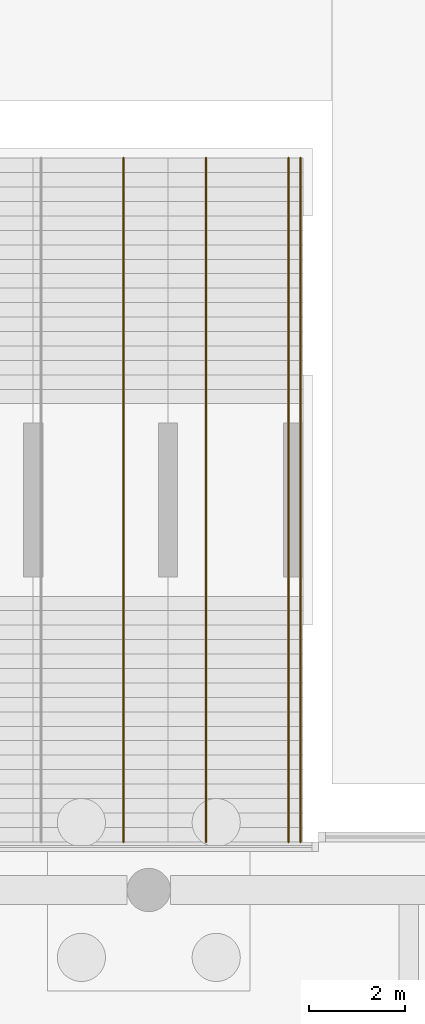
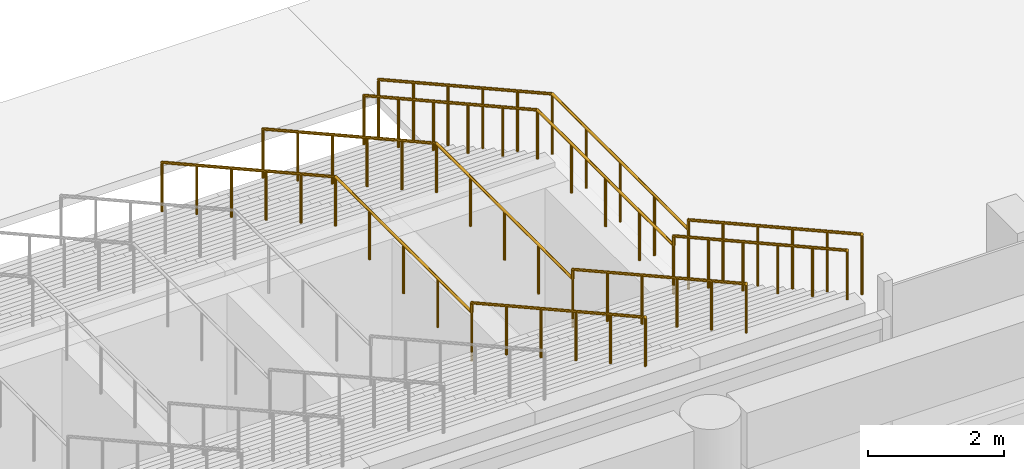
# One storey, part 31 of 32: 4 railings.
"""IFC4 building model written with IfcOpenShell, lengths in metres."""

from ifc_helpers import new_model, si_unit, direction, frame, origin, origin_2d, place, context, subcontext, project, spatial, circle, extrude, material, type_object, element, save


model = new_model("IFC4")

# Units and contexts
model_context = context("Model", 3, precision=1e-05, world=origin(), true_north=direction((0.0, 1.0)))
body_context = subcontext(model_context, "Body", "Model", "MODEL_VIEW")
ifc_project = project(units=[si_unit("LENGTHUNIT", "METRE"), si_unit("AREAUNIT", "SQUARE_METRE"), si_unit("VOLUMEUNIT", "CUBIC_METRE"), si_unit("PLANEANGLEUNIT", "RADIAN"), si_unit("MASSUNIT", "GRAM", prefix="KILO")], contexts=[model_context])

# Site, building, storey
site_placement = place(None, origin())
site = spatial("IfcSite", under=ifc_project, at=site_placement, CompositionType="ELEMENT")
building_placement = place(site_placement, origin())
building = spatial("IfcBuilding", under=site, at=building_placement, Name="Quipu Civic Tower", CompositionType="ELEMENT")
storey_placement = place(building_placement, origin())
storey = spatial("IfcBuildingStorey", under=building, at=storey_placement, Name="L00", CompositionType="ELEMENT", Elevation=0.0)

# Railings
ifc_material_1 = material(Name="Stainless steel", Category="steel")
railing_type_1 = type_object("IfcRailingType", Name="Stair guard 1100", PredefinedType="GUARDRAIL", material=ifc_material_1)
railing_1_placement = place(storey_placement, frame((13.949951171875, 70.199951171875, 0.166748046875)))
element("IfcRailing", 1, at=railing_1_placement, inside=storey, type_object=railing_type_1, Name="Broad stair guard", PredefinedType="GUARDRAIL", context=body_context, shape_type="SweptSolid", body=[
    extrude(circle(Radius=0.02392578125, at=origin_2d()), frame((0.0, 0.0, 1.076171875), z_axis=(0.0, -0.874157276122, 0.485642931179), x_axis=(1.0, 0.0, 0.0)), (0.0, 0.0, 1.0), 5.833984375),
    extrude(circle(Radius=0.02392578125, at=origin_2d()), frame((0.0, -5.099853515625, 3.9091796875), z_axis=(0.0, -1.0, 0.0), x_axis=(1.0, 0.0, 0.0)), (0.0, 0.0, 1.0), 4.0),
    extrude(circle(Radius=0.02392578125, at=origin_2d()), frame((0.0, -9.099853515625, 3.9091796875), z_axis=(0.0, 0.0, 1.0), x_axis=(1.0, 0.0, 0.0)), (0.0, 0.0, 1.0), 0.166748046875),
    extrude(circle(Radius=0.02392578125, at=origin_2d()), frame((0.0, -9.099853515625, 4.076171875), z_axis=(0.0, -0.874167145328, 0.485625166182), x_axis=(1.0, 0.0, 0.0)), (0.0, 0.0, 1.0), 5.834228515625),
    extrude(circle(Radius=0.02099609375, at=origin_2d()), origin(), (0.0, 0.0, 1.0), 1.052001953125),
    extrude(circle(Radius=0.02099609375, at=origin_2d()), frame((0.0, -1.02001953125, 0.566650390625)), (0.0, 0.0, 1.0), 1.052001953125),
    extrude(circle(Radius=0.02099609375, at=origin_2d()), frame((0.0, -2.0400390625, 1.13330078125)), (0.0, 0.0, 1.0), 1.052001953125),
    extrude(circle(Radius=0.02099609375, at=origin_2d()), frame((0.0, -3.059814453125, 1.699951171875)), (0.0, 0.0, 1.0), 1.052001953125),
    extrude(circle(Radius=0.02099609375, at=origin_2d()), frame((0.0, -4.079833984375, 2.2666015625)), (0.0, 0.0, 1.0), 1.052001953125),
    extrude(circle(Radius=0.02099609375, at=origin_2d()), frame((0.0, -5.099853515625, 2.833251953125)), (0.0, 0.0, 1.0), 1.052001953125),
    extrude(circle(Radius=0.02099609375, at=origin_2d()), frame((0.0, -6.099853515625, 2.833251953125)), (0.0, 0.0, 1.0), 1.052001953125),
    extrude(circle(Radius=0.02099609375, at=origin_2d()), frame((0.0, -7.099853515625, 2.833251953125)), (0.0, 0.0, 1.0), 1.052001953125),
    extrude(circle(Radius=0.02099609375, at=origin_2d()), frame((0.0, -8.099853515625, 2.833251953125)), (0.0, 0.0, 1.0), 1.052001953125),
    extrude(circle(Radius=0.02099609375, at=origin_2d()), frame((0.0, -9.099853515625, 2.833251953125)), (0.0, 0.0, 1.0), 1.052001953125),
    extrude(circle(Radius=0.02099609375, at=origin_2d()), frame((0.0, -9.099853515625, 3.0)), (0.0, 0.0, 1.0), 1.052001953125),
    extrude(circle(Radius=0.02099609375, at=origin_2d()), frame((0.0, -10.119873046875, 3.566650390625)), (0.0, 0.0, 1.0), 1.052001953125),
    extrude(circle(Radius=0.02099609375, at=origin_2d()), frame((0.0, -11.139892578125, 4.13330078125)), (0.0, 0.0, 1.0), 1.052001953125),
    extrude(circle(Radius=0.02099609375, at=origin_2d()), frame((0.0, -12.159912109375, 4.699951171875)), (0.0, 0.0, 1.0), 1.052001953125),
    extrude(circle(Radius=0.02099609375, at=origin_2d()), frame((0.0, -13.179931640625, 5.2666015625)), (0.0, 0.0, 1.0), 1.052001953125),
    extrude(circle(Radius=0.02099609375, at=origin_2d()), frame((0.0, -14.199951171875, 5.833251953125)), (0.0, 0.0, 1.0), 1.052001953125),
])
ifc_material_2 = material(Name="Stainless steel", Category="steel")
railing_type_2 = type_object("IfcRailingType", Name="Stair handrail", PredefinedType="HANDRAIL", material=ifc_material_2)
railing_2_placement = place(storey_placement, frame((10.27490234375, 70.199951171875, 0.166748046875)))
element("IfcRailing", 2, at=railing_2_placement, inside=storey, type_object=railing_type_2, Name="Broad stair handrail", PredefinedType="HANDRAIL", context=body_context, shape_type="SweptSolid", body=[
    extrude(circle(Radius=0.02392578125, at=origin_2d()), frame((0.0, 0.0, 0.8759765625), z_axis=(0.0, -0.874157276122, 0.485642931179), x_axis=(1.0, 0.0, 0.0)), (0.0, 0.0, 1.0), 5.833984375),
    extrude(circle(Radius=0.02392578125, at=origin_2d()), frame((0.0, -5.099853515625, 3.708984375), z_axis=(0.0, -1.0, 0.0), x_axis=(1.0, 0.0, 0.0)), (0.0, 0.0, 1.0), 4.0),
    extrude(circle(Radius=0.02392578125, at=origin_2d()), frame((0.0, -9.099853515625, 3.708984375), z_axis=(0.0, 0.0, 1.0), x_axis=(1.0, 0.0, 0.0)), (0.0, 0.0, 1.0), 0.166748046875),
    extrude(circle(Radius=0.02392578125, at=origin_2d()), frame((0.0, -9.099853515625, 3.8759765625), z_axis=(0.0, -0.874167145328, 0.485625166182), x_axis=(1.0, 0.0, 0.0)), (0.0, 0.0, 1.0), 5.834228515625),
    extrude(circle(Radius=0.02099609375, at=origin_2d()), origin(), (0.0, 0.0, 1.0), 0.851806640625),
    extrude(circle(Radius=0.02099609375, at=origin_2d()), frame((0.0, -1.02001953125, 0.566650390625)), (0.0, 0.0, 1.0), 0.851806640625),
    extrude(circle(Radius=0.02099609375, at=origin_2d()), frame((0.0, -2.0400390625, 1.13330078125)), (0.0, 0.0, 1.0), 0.851806640625),
    extrude(circle(Radius=0.02099609375, at=origin_2d()), frame((0.0, -3.059814453125, 1.699951171875)), (0.0, 0.0, 1.0), 0.851806640625),
    extrude(circle(Radius=0.02099609375, at=origin_2d()), frame((0.0, -4.079833984375, 2.2666015625)), (0.0, 0.0, 1.0), 0.851806640625),
    extrude(circle(Radius=0.02099609375, at=origin_2d()), frame((0.0, -5.099853515625, 2.833251953125)), (0.0, 0.0, 1.0), 0.851806640625),
    extrude(circle(Radius=0.02099609375, at=origin_2d()), frame((0.0, -6.099853515625, 2.833251953125)), (0.0, 0.0, 1.0), 0.851806640625),
    extrude(circle(Radius=0.02099609375, at=origin_2d()), frame((0.0, -7.099853515625, 2.833251953125)), (0.0, 0.0, 1.0), 0.851806640625),
    extrude(circle(Radius=0.02099609375, at=origin_2d()), frame((0.0, -8.099853515625, 2.833251953125)), (0.0, 0.0, 1.0), 0.851806640625),
    extrude(circle(Radius=0.02099609375, at=origin_2d()), frame((0.0, -9.099853515625, 2.833251953125)), (0.0, 0.0, 1.0), 0.851806640625),
    extrude(circle(Radius=0.02099609375, at=origin_2d()), frame((0.0, -9.099853515625, 3.0)), (0.0, 0.0, 1.0), 0.851806640625),
    extrude(circle(Radius=0.02099609375, at=origin_2d()), frame((0.0, -10.119873046875, 3.566650390625)), (0.0, 0.0, 1.0), 0.851806640625),
    extrude(circle(Radius=0.02099609375, at=origin_2d()), frame((0.0, -11.139892578125, 4.13330078125)), (0.0, 0.0, 1.0), 0.851806640625),
    extrude(circle(Radius=0.02099609375, at=origin_2d()), frame((0.0, -12.159912109375, 4.699951171875)), (0.0, 0.0, 1.0), 0.851806640625),
    extrude(circle(Radius=0.02099609375, at=origin_2d()), frame((0.0, -13.179931640625, 5.2666015625)), (0.0, 0.0, 1.0), 0.851806640625),
    extrude(circle(Radius=0.02099609375, at=origin_2d()), frame((0.0, -14.199951171875, 5.833251953125)), (0.0, 0.0, 1.0), 0.851806640625),
])
railing_3_placement = place(storey_placement, frame((11.987548828125, 70.199951171875, 0.166748046875)))
element("IfcRailing", 3, at=railing_3_placement, inside=storey, type_object=railing_type_2, Name="Broad stair handrail", PredefinedType="HANDRAIL", context=body_context, shape_type="SweptSolid", body=[
    extrude(circle(Radius=0.02392578125, at=origin_2d()), frame((0.0, 0.0, 0.8759765625), z_axis=(0.0, -0.874157276122, 0.485642931179), x_axis=(1.0, 0.0, 0.0)), (0.0, 0.0, 1.0), 5.833984375),
    extrude(circle(Radius=0.02392578125, at=origin_2d()), frame((0.0, -5.099853515625, 3.708984375), z_axis=(0.0, -1.0, 0.0), x_axis=(1.0, 0.0, 0.0)), (0.0, 0.0, 1.0), 4.0),
    extrude(circle(Radius=0.02392578125, at=origin_2d()), frame((0.0, -9.099853515625, 3.708984375), z_axis=(0.0, 0.0, 1.0), x_axis=(1.0, 0.0, 0.0)), (0.0, 0.0, 1.0), 0.166748046875),
    extrude(circle(Radius=0.02392578125, at=origin_2d()), frame((0.0, -9.099853515625, 3.8759765625), z_axis=(0.0, -0.874167145328, 0.485625166182), x_axis=(1.0, 0.0, 0.0)), (0.0, 0.0, 1.0), 5.834228515625),
    extrude(circle(Radius=0.02099609375, at=origin_2d()), origin(), (0.0, 0.0, 1.0), 0.851806640625),
    extrude(circle(Radius=0.02099609375, at=origin_2d()), frame((0.0, -1.02001953125, 0.566650390625)), (0.0, 0.0, 1.0), 0.851806640625),
    extrude(circle(Radius=0.02099609375, at=origin_2d()), frame((0.0, -2.0400390625, 1.13330078125)), (0.0, 0.0, 1.0), 0.851806640625),
    extrude(circle(Radius=0.02099609375, at=origin_2d()), frame((0.0, -3.059814453125, 1.699951171875)), (0.0, 0.0, 1.0), 0.851806640625),
    extrude(circle(Radius=0.02099609375, at=origin_2d()), frame((0.0, -4.079833984375, 2.2666015625)), (0.0, 0.0, 1.0), 0.851806640625),
    extrude(circle(Radius=0.02099609375, at=origin_2d()), frame((0.0, -5.099853515625, 2.833251953125)), (0.0, 0.0, 1.0), 0.851806640625),
    extrude(circle(Radius=0.02099609375, at=origin_2d()), frame((0.0, -6.099853515625, 2.833251953125)), (0.0, 0.0, 1.0), 0.851806640625),
    extrude(circle(Radius=0.02099609375, at=origin_2d()), frame((0.0, -7.099853515625, 2.833251953125)), (0.0, 0.0, 1.0), 0.851806640625),
    extrude(circle(Radius=0.02099609375, at=origin_2d()), frame((0.0, -8.099853515625, 2.833251953125)), (0.0, 0.0, 1.0), 0.851806640625),
    extrude(circle(Radius=0.02099609375, at=origin_2d()), frame((0.0, -9.099853515625, 2.833251953125)), (0.0, 0.0, 1.0), 0.851806640625),
    extrude(circle(Radius=0.02099609375, at=origin_2d()), frame((0.0, -9.099853515625, 3.0)), (0.0, 0.0, 1.0), 0.851806640625),
    extrude(circle(Radius=0.02099609375, at=origin_2d()), frame((0.0, -10.119873046875, 3.566650390625)), (0.0, 0.0, 1.0), 0.851806640625),
    extrude(circle(Radius=0.02099609375, at=origin_2d()), frame((0.0, -11.139892578125, 4.13330078125)), (0.0, 0.0, 1.0), 0.851806640625),
    extrude(circle(Radius=0.02099609375, at=origin_2d()), frame((0.0, -12.159912109375, 4.699951171875)), (0.0, 0.0, 1.0), 0.851806640625),
    extrude(circle(Radius=0.02099609375, at=origin_2d()), frame((0.0, -13.179931640625, 5.2666015625)), (0.0, 0.0, 1.0), 0.851806640625),
    extrude(circle(Radius=0.02099609375, at=origin_2d()), frame((0.0, -14.199951171875, 5.833251953125)), (0.0, 0.0, 1.0), 0.851806640625),
])
railing_4_placement = place(storey_placement, frame((13.699951171875, 70.199951171875, 0.166748046875)))
element("IfcRailing", 4, at=railing_4_placement, inside=storey, type_object=railing_type_2, Name="Broad stair handrail", PredefinedType="HANDRAIL", context=body_context, shape_type="SweptSolid", body=[
    extrude(circle(Radius=0.02392578125, at=origin_2d()), frame((0.0, 0.0, 0.8759765625), z_axis=(0.0, -0.874157276122, 0.485642931179), x_axis=(1.0, 0.0, 0.0)), (0.0, 0.0, 1.0), 5.833984375),
    extrude(circle(Radius=0.02392578125, at=origin_2d()), frame((0.0, -5.099853515625, 3.708984375), z_axis=(0.0, -1.0, 0.0), x_axis=(1.0, 0.0, 0.0)), (0.0, 0.0, 1.0), 4.0),
    extrude(circle(Radius=0.02392578125, at=origin_2d()), frame((0.0, -9.099853515625, 3.708984375), z_axis=(0.0, 0.0, 1.0), x_axis=(1.0, 0.0, 0.0)), (0.0, 0.0, 1.0), 0.166748046875),
    extrude(circle(Radius=0.02392578125, at=origin_2d()), frame((0.0, -9.099853515625, 3.8759765625), z_axis=(0.0, -0.874167145328, 0.485625166182), x_axis=(1.0, 0.0, 0.0)), (0.0, 0.0, 1.0), 5.834228515625),
    extrude(circle(Radius=0.02099609375, at=origin_2d()), origin(), (0.0, 0.0, 1.0), 0.851806640625),
    extrude(circle(Radius=0.02099609375, at=origin_2d()), frame((0.0, -1.02001953125, 0.566650390625)), (0.0, 0.0, 1.0), 0.851806640625),
    extrude(circle(Radius=0.02099609375, at=origin_2d()), frame((0.0, -2.0400390625, 1.13330078125)), (0.0, 0.0, 1.0), 0.851806640625),
    extrude(circle(Radius=0.02099609375, at=origin_2d()), frame((0.0, -3.059814453125, 1.699951171875)), (0.0, 0.0, 1.0), 0.851806640625),
    extrude(circle(Radius=0.02099609375, at=origin_2d()), frame((0.0, -4.079833984375, 2.2666015625)), (0.0, 0.0, 1.0), 0.851806640625),
    extrude(circle(Radius=0.02099609375, at=origin_2d()), frame((0.0, -5.099853515625, 2.833251953125)), (0.0, 0.0, 1.0), 0.851806640625),
    extrude(circle(Radius=0.02099609375, at=origin_2d()), frame((0.0, -6.099853515625, 2.833251953125)), (0.0, 0.0, 1.0), 0.851806640625),
    extrude(circle(Radius=0.02099609375, at=origin_2d()), frame((0.0, -7.099853515625, 2.833251953125)), (0.0, 0.0, 1.0), 0.851806640625),
    extrude(circle(Radius=0.02099609375, at=origin_2d()), frame((0.0, -8.099853515625, 2.833251953125)), (0.0, 0.0, 1.0), 0.851806640625),
    extrude(circle(Radius=0.02099609375, at=origin_2d()), frame((0.0, -9.099853515625, 2.833251953125)), (0.0, 0.0, 1.0), 0.851806640625),
    extrude(circle(Radius=0.02099609375, at=origin_2d()), frame((0.0, -9.099853515625, 3.0)), (0.0, 0.0, 1.0), 0.851806640625),
    extrude(circle(Radius=0.02099609375, at=origin_2d()), frame((0.0, -10.119873046875, 3.566650390625)), (0.0, 0.0, 1.0), 0.851806640625),
    extrude(circle(Radius=0.02099609375, at=origin_2d()), frame((0.0, -11.139892578125, 4.13330078125)), (0.0, 0.0, 1.0), 0.851806640625),
    extrude(circle(Radius=0.02099609375, at=origin_2d()), frame((0.0, -12.159912109375, 4.699951171875)), (0.0, 0.0, 1.0), 0.851806640625),
    extrude(circle(Radius=0.02099609375, at=origin_2d()), frame((0.0, -13.179931640625, 5.2666015625)), (0.0, 0.0, 1.0), 0.851806640625),
    extrude(circle(Radius=0.02099609375, at=origin_2d()), frame((0.0, -14.199951171875, 5.833251953125)), (0.0, 0.0, 1.0), 0.851806640625),
])

save(model, "model.ifc")
